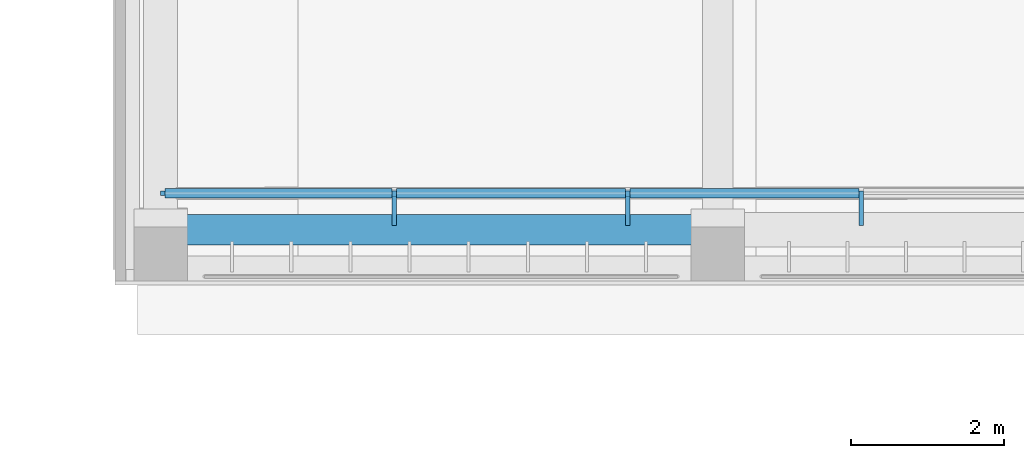
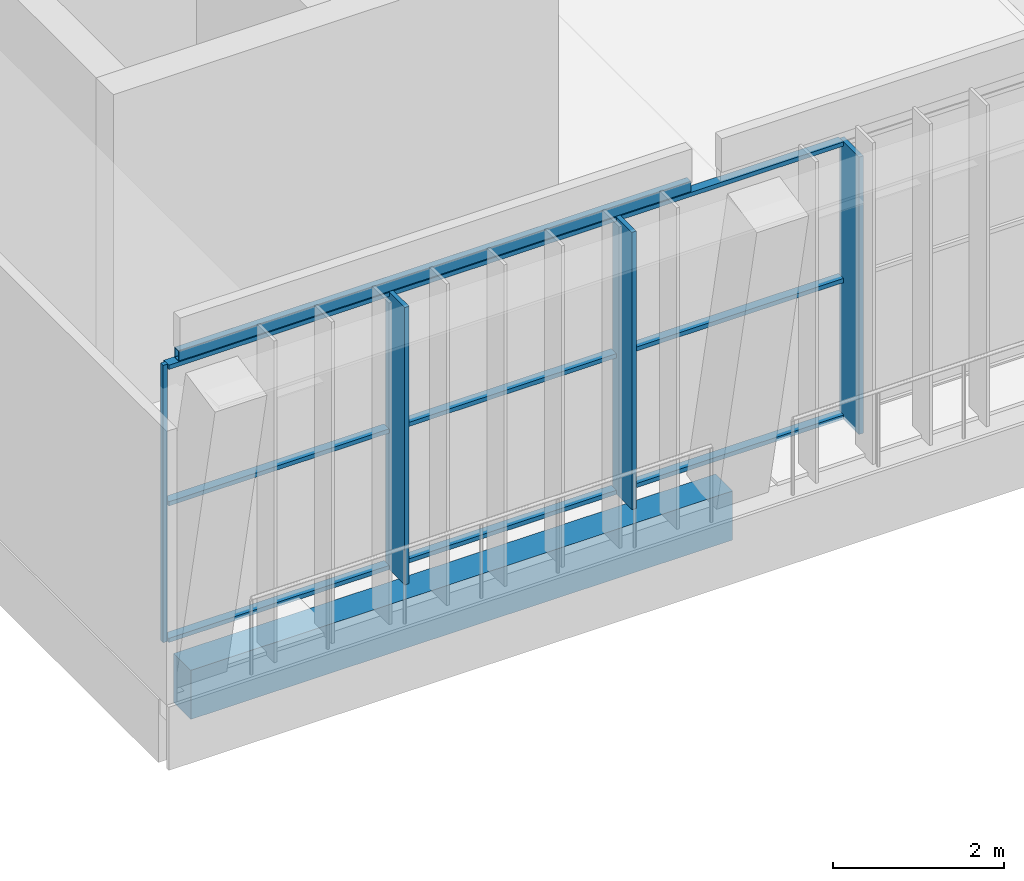
# One storey, part 2 of 73: 13 members, 2 beams, 1 element without a shape of its own.
"""IFC4 building model written with IfcOpenShell, lengths in metres."""

from ifc_helpers import new_model, si_unit, direction, frame, origin, origin_2d, place, context, subcontext, project, spatial, rectangle, hollow_rectangle, extrude, material, material_profile, profile_set, type_object, element, aggregate, save


model = new_model("IFC4")

# Units and contexts
model_context = context("Model", 3, precision=1e-05, world=origin(), true_north=direction((0.0, 1.0)))
body_context = subcontext(model_context, "Body", "Model", "MODEL_VIEW")
ifc_project = project(units=[si_unit("LENGTHUNIT", "METRE"), si_unit("AREAUNIT", "SQUARE_METRE"), si_unit("VOLUMEUNIT", "CUBIC_METRE"), si_unit("PLANEANGLEUNIT", "RADIAN"), si_unit("MASSUNIT", "GRAM", prefix="KILO")], contexts=[model_context])

# Site, building, storey
site_placement = place(None, origin())
site = spatial("IfcSite", under=ifc_project, at=site_placement, CompositionType="ELEMENT")
building_placement = place(site_placement, origin())
building = spatial("IfcBuilding", under=site, at=building_placement, Name="Lantern Court Media Centre", CompositionType="ELEMENT")
storey_placement = place(building_placement, frame((0.0, 0.0, 24.0)))
storey = spatial("IfcBuildingStorey", under=building, at=storey_placement, Name="L05", CompositionType="ELEMENT", Elevation=24.0)

# Curtain wall, members
ifc_material_1 = material(Name="Curtain wall bay 3000")
curtain_wall_type = type_object("IfcCurtainWallType", Name="Curtain wall bay 3000", PredefinedType="NOTDEFINED", material=ifc_material_1)
curtain_wall_placement = place(storey_placement, origin())
curtain_wall = element("IfcCurtainWall", 1, at=curtain_wall_placement, inside=storey, type_object=curtain_wall_type, Name="Curtain wall S outer L05", PredefinedType="NOTDEFINED")
ifc_material_2 = material(Name="Anodised aluminium", Category="aluminium")
ifc_material_profile_1 = material_profile(ifc_material_2, rectangle(XDim=0.449951171875, YDim=0.06005859375, at=origin_2d()), Name="AL 60x450")
ifc_profile_set_1 = profile_set([ifc_material_profile_1], Name="Anodised aluminium")
member_type_1 = type_object("IfcMemberType", Name="Curtain wall mullion 60x450", PredefinedType="MULLION", material=ifc_profile_set_1)
member_1_placement = place(storey_placement, frame((27.760009765625, 43.955078125, 0.0), z_axis=(0.0, 0.0, 1.0), x_axis=(0.0, 1.0, 0.0)))
member_1 = element("IfcMember", 2, at=member_1_placement, type_object=member_type_1, Name="CW1 mullion 2", PredefinedType="MULLION", context=body_context, shape_type="SweptSolid", body=[
    extrude(rectangle(XDim=0.449951171875, YDim=0.06005859375, at=origin_2d()), origin(), (0.0, 0.0, 1.0), 3.949951171875),
])
member_2_placement = place(storey_placement, frame((30.820068359375, 43.955078125, 0.0), z_axis=(0.0, 0.0, 1.0), x_axis=(0.0, 1.0, 0.0)))
member_2 = element("IfcMember", 3, at=member_2_placement, type_object=member_type_1, Name="CW1 mullion 3", PredefinedType="MULLION", context=body_context, shape_type="SweptSolid", body=[
    extrude(rectangle(XDim=0.449951171875, YDim=0.06005859375, at=origin_2d()), origin(), (0.0, 0.0, 1.0), 3.949951171875),
])
member_3_placement = place(storey_placement, frame((33.8798828125, 43.955078125, 0.0), z_axis=(0.0, 0.0, 1.0), x_axis=(0.0, 1.0, 0.0)))
member_3 = element("IfcMember", 4, at=member_3_placement, type_object=member_type_1, Name="CW1 mullion 4", PredefinedType="MULLION", context=body_context, shape_type="SweptSolid", body=[
    extrude(rectangle(XDim=0.449951171875, YDim=0.06005859375, at=origin_2d()), origin(), (0.0, 0.0, 1.0), 3.949951171875),
])
ifc_material_profile_2 = material_profile(ifc_material_2, rectangle(XDim=0.06005859375, YDim=0.06005859375, at=origin_2d()), Name="AL 60x60")
ifc_profile_set_2 = profile_set([ifc_material_profile_2], Name="Anodised aluminium")
member_type_2 = type_object("IfcMemberType", Name="Curtain wall mullion 60x60", PredefinedType="MULLION", material=ifc_profile_set_2)
member_4_placement = place(storey_placement, frame((24.72998046875, 44.14990234375, 0.0), z_axis=(0.0, 0.0, 1.0), x_axis=(0.0, 1.0, 0.0)))
member_4 = element("IfcMember", 5, at=member_4_placement, type_object=member_type_2, Name="CW1 mullion 1", PredefinedType="MULLION", context=body_context, shape_type="SweptSolid", body=[
    extrude(rectangle(XDim=0.06005859375, YDim=0.06005859375, at=origin_2d()), origin(), (0.0, 0.0, 1.0), 3.949951171875),
])
ifc_material_profile_3 = material_profile(ifc_material_2, rectangle(XDim=0.1201171875, YDim=0.06005859375, at=origin_2d()), Name="AL 60x120")
ifc_profile_set_3 = profile_set([ifc_material_profile_3], Name="Anodised aluminium")
member_type_3 = type_object("IfcMemberType", Name="Curtain wall transom 60x120", PredefinedType="USERDEFINED", material=ifc_profile_set_3)
member_5_placement = place(storey_placement, frame((24.760009765625, 44.14990234375, 0.030029296875), z_axis=(1.0, 0.0, 0.0), x_axis=(0.0, 1.0, 0.0)))
member_5 = element("IfcMember", 6, at=member_5_placement, type_object=member_type_3, Name="CW1 transom 1.1", ObjectType="TRANSOM", PredefinedType="USERDEFINED", context=body_context, shape_type="SweptSolid", body=[
    extrude(rectangle(XDim=0.1201171875, YDim=0.06005859375, at=origin_2d()), origin(), (0.0, 0.0, 1.0), 2.969970703125),
])
member_6_placement = place(storey_placement, frame((24.760009765625, 44.14990234375, 1.97509765625), z_axis=(1.0, 0.0, 0.0), x_axis=(0.0, 1.0, 0.0)))
member_6 = element("IfcMember", 7, at=member_6_placement, type_object=member_type_3, Name="CW1 transom 1.2", ObjectType="TRANSOM", PredefinedType="USERDEFINED", context=body_context, shape_type="SweptSolid", body=[
    extrude(rectangle(XDim=0.1201171875, YDim=0.06005859375, at=origin_2d()), origin(), (0.0, 0.0, 1.0), 2.969970703125),
])
member_7_placement = place(storey_placement, frame((24.760009765625, 44.14990234375, 3.919921875), z_axis=(1.0, 0.0, 0.0), x_axis=(0.0, 1.0, 0.0)))
member_7 = element("IfcMember", 8, at=member_7_placement, type_object=member_type_3, Name="CW1 transom 1.3", ObjectType="TRANSOM", PredefinedType="USERDEFINED", context=body_context, shape_type="SweptSolid", body=[
    extrude(rectangle(XDim=0.1201171875, YDim=0.06005859375, at=origin_2d()), origin(), (0.0, 0.0, 1.0), 2.969970703125),
])
member_8_placement = place(storey_placement, frame((27.7900390625, 44.14990234375, 0.030029296875), z_axis=(1.0, 0.0, 0.0), x_axis=(0.0, 1.0, 0.0)))
member_8 = element("IfcMember", 9, at=member_8_placement, type_object=member_type_3, Name="CW1 transom 2.1", ObjectType="TRANSOM", PredefinedType="USERDEFINED", context=body_context, shape_type="SweptSolid", body=[
    extrude(rectangle(XDim=0.1201171875, YDim=0.06005859375, at=origin_2d()), origin(), (0.0, 0.0, 1.0), 3.0),
])
member_9_placement = place(storey_placement, frame((27.7900390625, 44.14990234375, 1.97509765625), z_axis=(1.0, 0.0, 0.0), x_axis=(0.0, 1.0, 0.0)))
member_9 = element("IfcMember", 10, at=member_9_placement, type_object=member_type_3, Name="CW1 transom 2.2", ObjectType="TRANSOM", PredefinedType="USERDEFINED", context=body_context, shape_type="SweptSolid", body=[
    extrude(rectangle(XDim=0.1201171875, YDim=0.06005859375, at=origin_2d()), origin(), (0.0, 0.0, 1.0), 3.0),
])
member_10_placement = place(storey_placement, frame((27.7900390625, 44.14990234375, 3.919921875), z_axis=(1.0, 0.0, 0.0), x_axis=(0.0, 1.0, 0.0)))
member_10 = element("IfcMember", 11, at=member_10_placement, type_object=member_type_3, Name="CW1 transom 2.3", ObjectType="TRANSOM", PredefinedType="USERDEFINED", context=body_context, shape_type="SweptSolid", body=[
    extrude(rectangle(XDim=0.1201171875, YDim=0.06005859375, at=origin_2d()), origin(), (0.0, 0.0, 1.0), 3.0),
])
member_11_placement = place(storey_placement, frame((30.85009765625, 44.14990234375, 0.030029296875), z_axis=(1.0, 0.0, 0.0), x_axis=(0.0, 1.0, 0.0)))
member_11 = element("IfcMember", 12, at=member_11_placement, type_object=member_type_3, Name="CW1 transom 3.1", ObjectType="TRANSOM", PredefinedType="USERDEFINED", context=body_context, shape_type="SweptSolid", body=[
    extrude(rectangle(XDim=0.1201171875, YDim=0.06005859375, at=origin_2d()), origin(), (0.0, 0.0, 1.0), 3.0),
])
member_12_placement = place(storey_placement, frame((30.85009765625, 44.14990234375, 1.97509765625), z_axis=(1.0, 0.0, 0.0), x_axis=(0.0, 1.0, 0.0)))
member_12 = element("IfcMember", 13, at=member_12_placement, type_object=member_type_3, Name="CW1 transom 3.2", ObjectType="TRANSOM", PredefinedType="USERDEFINED", context=body_context, shape_type="SweptSolid", body=[
    extrude(rectangle(XDim=0.1201171875, YDim=0.06005859375, at=origin_2d()), origin(), (0.0, 0.0, 1.0), 3.0),
])
member_13_placement = place(storey_placement, frame((30.85009765625, 44.14990234375, 3.919921875), z_axis=(1.0, 0.0, 0.0), x_axis=(0.0, 1.0, 0.0)))
member_13 = element("IfcMember", 14, at=member_13_placement, type_object=member_type_3, Name="CW1 transom 3.3", ObjectType="TRANSOM", PredefinedType="USERDEFINED", context=body_context, shape_type="SweptSolid", body=[
    extrude(rectangle(XDim=0.1201171875, YDim=0.06005859375, at=origin_2d()), origin(), (0.0, 0.0, 1.0), 3.0),
])
aggregate(curtain_wall, [member_4, member_1, member_2, member_3, member_5, member_6, member_7, member_8, member_9, member_10, member_11, member_12, member_13])

# Beams
ifc_material_3 = material(Name="Steel S355J2 (EN 10025-2)", Category="steel")
ifc_material_profile_4 = material_profile(ifc_material_3, hollow_rectangle(XDim=0.10009765625, YDim=0.14990234375, WallThickness=0.00634765625, InnerFilletRadius=0.00634765625, OuterFilletRadius=0.009521484375, at=origin_2d()), Name="Facade head lintel RHS 150x100x6.3")
ifc_profile_set_4 = profile_set([ifc_material_profile_4], Name="Steel S355J2 (EN 10025-2)")
beam_type_1 = type_object("IfcBeamType", Name="Facade head lintel RHS 150x100x6.3", PredefinedType="BEAM", material=ifc_profile_set_4)
beam_1_placement = place(storey_placement, frame((24.89990234375, 44.14990234375, 4.02490234375), z_axis=(1.0, 0.0, 0.0), x_axis=(0.0, 1.0, 0.0)))
element("IfcBeam", 15, at=beam_1_placement, inside=storey, type_object=beam_type_1, Name="Facade head lintel S L05", PredefinedType="BEAM", context=body_context, shape_type="SweptSolid", body=[
    extrude(hollow_rectangle(XDim=0.10009765625, YDim=0.14990234375, WallThickness=0.00634765625, InnerFilletRadius=0.00634765625, OuterFilletRadius=0.009521484375, at=origin_2d()), origin(), (0.0, 0.0, 1.0), 6.900146484375),
])
ifc_material_4 = material(Name="Concrete C35", Category="concrete")
ifc_material_profile_5 = material_profile(ifc_material_4, rectangle(XDim=0.39990234375, YDim=0.699951171875, at=origin_2d()), Name="RC 400x700")
ifc_profile_set_5 = profile_set([ifc_material_profile_5], Name="Concrete C35")
beam_type_2 = type_object("IfcBeamType", Name="RC BEAM 400x700", PredefinedType="BEAM", material=ifc_profile_set_5)
beam_2_placement = place(storey_placement, frame((24.699951171875, 43.6728515625, -0.35009765625), z_axis=(1.0, 0.0, 0.0), x_axis=(0.0, 1.0, 0.0)))
element("IfcBeam", 16, at=beam_2_placement, inside=storey, type_object=beam_type_2, Name="LB-S-L05-0-0", PredefinedType="BEAM", context=body_context, shape_type="SweptSolid", body=[
    extrude(rectangle(XDim=0.39990234375, YDim=0.699951171875, at=origin_2d()), origin(), (0.0, 0.0, 1.0), 7.300048828125),
])

save(model, "model.ifc")
